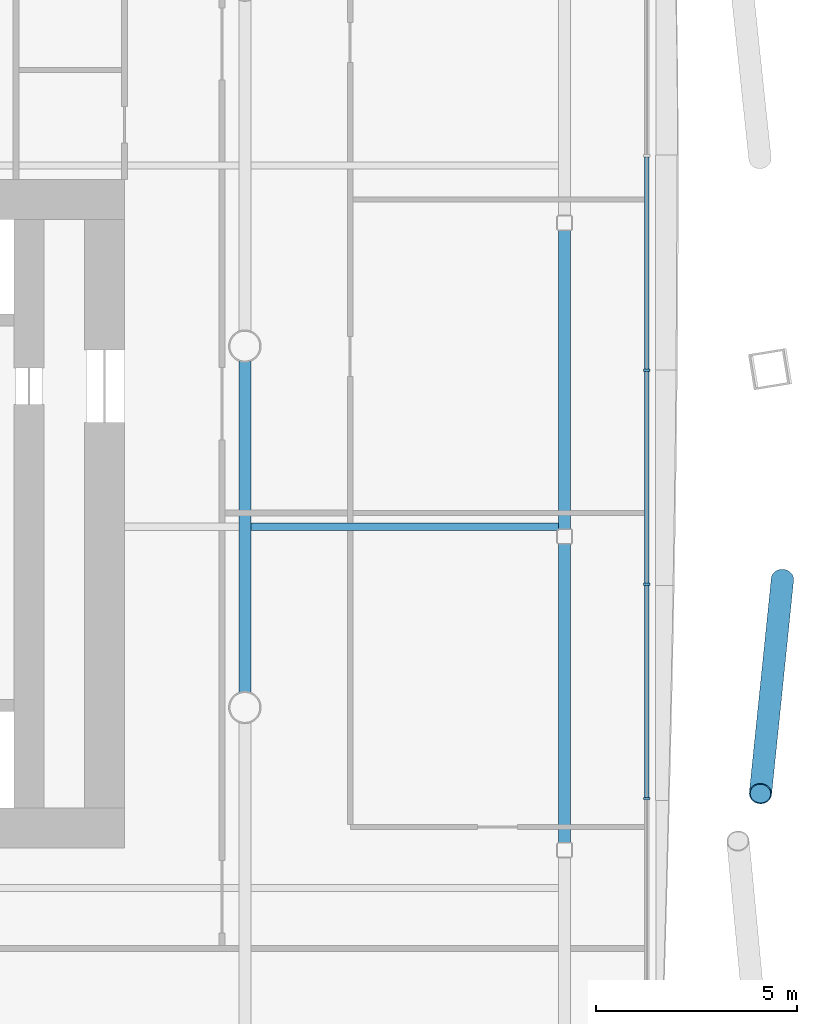
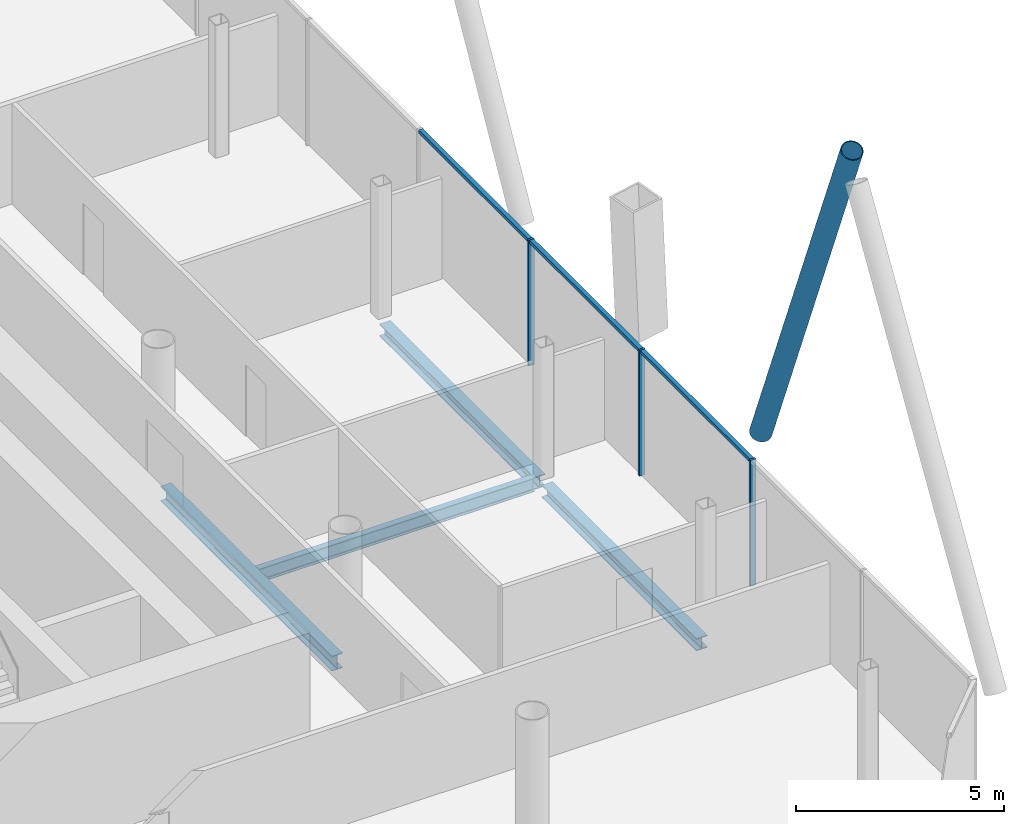
# One storey, part 7 of 22: 7 members, 4 beams, 1 element without a shape of its own.
"""IFC4 building model written with IfcOpenShell, lengths in metres."""

from ifc_helpers import new_model, si_unit, direction, frame, origin, origin_2d, place, context, subcontext, project, spatial, rectangle, hollow_circle, i_section, extrude, material, material_profile, profile_set, type_object, element, aggregate, save


model = new_model("IFC4")

# Units and contexts
model_context = context("Model", 3, precision=1e-05, world=origin(), true_north=direction((0.0, 1.0)))
body_context = subcontext(model_context, "Body", "Model", "MODEL_VIEW")
ifc_project = project(units=[si_unit("LENGTHUNIT", "METRE"), si_unit("AREAUNIT", "SQUARE_METRE"), si_unit("VOLUMEUNIT", "CUBIC_METRE"), si_unit("PLANEANGLEUNIT", "RADIAN"), si_unit("MASSUNIT", "GRAM", prefix="KILO")], contexts=[model_context])

# Site, building, storey
site_placement = place(None, origin())
site = spatial("IfcSite", under=ifc_project, at=site_placement, CompositionType="ELEMENT")
building_placement = place(site_placement, origin())
building = spatial("IfcBuilding", under=site, at=building_placement, Name="Tskaro Facet Tower", CompositionType="ELEMENT")
storey_placement = place(building_placement, frame((0.0, 0.0, 73.800048828125)))
storey = spatial("IfcBuildingStorey", under=building, at=storey_placement, Name="L17", CompositionType="ELEMENT", Elevation=73.800048828125)

# Member
ifc_material_1 = material(Name="Steel S355J2H", Category="steel")
ifc_material_profile_1 = material_profile(ifc_material_1, hollow_circle(Radius=0.279541015625, WallThickness=0.02490234375, at=origin_2d()), Name="CHS 559x25")
ifc_profile_set_1 = profile_set([ifc_material_profile_1], Name="Steel S355J2H")
member_type_1 = type_object("IfcMemberType", Name="CHS 559x25 brace", PredefinedType="BRACE", material=ifc_profile_set_1)
member_1_placement = place(storey_placement, frame((31.390380859375, -5.812255859375, 0.0), z_axis=(-0.042567326105, -0.414462347628, 0.909070396145), x_axis=(0.994767210337, -0.102167495995, 0.0)))
element("IfcMember", 1, at=member_1_placement, inside=storey, type_object=member_type_1, Name="CHS 559x25 XB04B/2", PredefinedType="BRACE", context=body_context, shape_type="SweptSolid", body=[
    extrude(hollow_circle(Radius=0.279541015625, WallThickness=0.02490234375, at=origin_2d()), origin(), (0.0, 0.0, 1.0), 12.8701171875),
])

# Curtain wall, members
ifc_material_2 = material(Name="Bronze anodised aluminium 6063-T6", Category="aluminium")
curtain_wall_type = type_object("IfcCurtainWallType", Name="Bronze office curtain wall (FW1)", PredefinedType="NOTDEFINED", material=ifc_material_2)
curtain_wall_placement = place(storey_placement, origin())
curtain_wall = element("IfcCurtainWall", 2, at=curtain_wall_placement, inside=storey, type_object=curtain_wall_type, Name="FW1 east facet L17", PredefinedType="NOTDEFINED")
ifc_material_profile_2 = material_profile(ifc_material_2, rectangle(XDim=0.06005859375, YDim=0.159912109375, at=origin_2d()), Name="Mullion 60x160")
ifc_profile_set_2 = profile_set([ifc_material_profile_2], Name="Bronze anodised aluminium 6063-T6")
member_type_2 = type_object("IfcMemberType", Name="FW1 bronze mullion 60x160", PredefinedType="MULLION", material=ifc_profile_set_2)
member_2_placement = place(storey_placement, frame((28.010986328125, -11.268310546875, 0.0), z_axis=(0.0, 0.0, 1.0), x_axis=(0.0, 1.0, 0.0)))
member_2 = element("IfcMember", 3, at=member_2_placement, type_object=member_type_2, Name="FW1 east mullion 2", PredefinedType="MULLION", context=body_context, shape_type="SweptSolid", body=[
    extrude(rectangle(XDim=0.06005859375, YDim=0.159912109375, at=origin_2d()), origin(), (0.0, 0.0, 1.0), 3.699951171875),
])
member_3_placement = place(storey_placement, frame((28.010986328125, -5.932861328125, 0.0), z_axis=(0.0, 0.0, 1.0), x_axis=(0.0, 1.0, 0.0)))
member_3 = element("IfcMember", 4, at=member_3_placement, type_object=member_type_2, Name="FW1 east mullion 3", PredefinedType="MULLION", context=body_context, shape_type="SweptSolid", body=[
    extrude(rectangle(XDim=0.06005859375, YDim=0.159912109375, at=origin_2d()), origin(), (0.0, 0.0, 1.0), 3.699951171875),
])
member_4_placement = place(storey_placement, frame((28.010986328125, -0.597412109375, 0.0), z_axis=(0.0, 0.0, 1.0), x_axis=(0.0, 1.0, 0.0)))
member_4 = element("IfcMember", 5, at=member_4_placement, type_object=member_type_2, Name="FW1 east mullion 4", PredefinedType="MULLION", context=body_context, shape_type="SweptSolid", body=[
    extrude(rectangle(XDim=0.06005859375, YDim=0.159912109375, at=origin_2d()), origin(), (0.0, 0.0, 1.0), 3.699951171875),
])
ifc_material_profile_3 = material_profile(ifc_material_2, rectangle(XDim=0.1201171875, YDim=0.10009765625, at=origin_2d()), Name="Transom 120x100")
ifc_profile_set_3 = profile_set([ifc_material_profile_3], Name="Bronze anodised aluminium 6063-T6")
member_type_3 = type_object("IfcMemberType", Name="FW1 bronze transom 120x100", PredefinedType="USERDEFINED", material=ifc_profile_set_3)
member_5_placement = place(storey_placement, frame((28.010986328125, -11.23828125, 3.64990234375), z_axis=(0.0, 1.0, 0.0), x_axis=(-1.0, 0.0, 0.0)))
member_5 = element("IfcMember", 6, at=member_5_placement, type_object=member_type_3, Name="FW1 east transom 3.1", ObjectType="TRANSOM", PredefinedType="USERDEFINED", context=body_context, shape_type="SweptSolid", body=[
    extrude(rectangle(XDim=0.1201171875, YDim=0.10009765625, at=origin_2d()), origin(), (0.0, 0.0, 1.0), 5.275390625),
])
member_6_placement = place(storey_placement, frame((28.010986328125, -5.90283203125, 3.64990234375), z_axis=(0.0, 1.0, 0.0), x_axis=(-1.0, 0.0, 0.0)))
member_6 = element("IfcMember", 7, at=member_6_placement, type_object=member_type_3, Name="FW1 east transom 4.1", ObjectType="TRANSOM", PredefinedType="USERDEFINED", context=body_context, shape_type="SweptSolid", body=[
    extrude(rectangle(XDim=0.1201171875, YDim=0.10009765625, at=origin_2d()), origin(), (0.0, 0.0, 1.0), 5.275390625),
])
member_7_placement = place(storey_placement, frame((28.010986328125, -0.5673828125, 3.64990234375), z_axis=(0.0, 1.0, 0.0), x_axis=(-1.0, 0.0, 0.0)))
member_7 = element("IfcMember", 8, at=member_7_placement, type_object=member_type_3, Name="FW1 east transom 5.1", ObjectType="TRANSOM", PredefinedType="USERDEFINED", context=body_context, shape_type="SweptSolid", body=[
    extrude(rectangle(XDim=0.1201171875, YDim=0.10009765625, at=origin_2d()), origin(), (0.0, 0.0, 1.0), 5.275146484375),
])
aggregate(curtain_wall, [member_2, member_3, member_4, member_5, member_6, member_7])

# Beams
ifc_material_3 = material(Name="Steel S355J2", Category="steel")
ifc_material_profile_4 = material_profile(ifc_material_3, i_section(OverallWidth=0.300048828125, OverallDepth=0.360107421875, WebThickness=0.012451171875, FlangeThickness=0.0224609375, FilletRadius=0.027099609375, at=origin_2d()), Name="HE 360 B")
ifc_profile_set_4 = profile_set([ifc_material_profile_4], Name="Steel S355J2")
beam_type_1 = type_object("IfcBeamType", Name="HE 360 B ring beam", PredefinedType="BEAM", material=ifc_profile_set_4)
beam_1_placement = place(storey_placement, frame((25.965087890625, -12.373046875, -0.320068359375), z_axis=(0.0, 1.0, 0.0), x_axis=(-1.0, 0.0, 0.0)))
element("IfcBeam", 9, at=beam_1_placement, inside=storey, type_object=beam_type_1, Name="HE 360 B EB8-2", PredefinedType="BEAM", context=body_context, shape_type="SweptSolid", body=[
    extrude(i_section(OverallWidth=0.300048828125, OverallDepth=0.360107421875, WebThickness=0.012451171875, FlangeThickness=0.0224609375, FilletRadius=0.027099609375, at=origin_2d()), origin(), (0.0, 0.0, 1.0), 7.450927734375),
])
beam_2_placement = place(storey_placement, frame((25.965087890625, -4.56201171875, -0.320068359375), z_axis=(0.0, 1.0, 0.0), x_axis=(-1.0, 0.0, 0.0)))
element("IfcBeam", 10, at=beam_2_placement, inside=storey, type_object=beam_type_1, Name="HE 360 B EB9-2", PredefinedType="BEAM", context=body_context, shape_type="SweptSolid", body=[
    extrude(i_section(OverallWidth=0.300048828125, OverallDepth=0.360107421875, WebThickness=0.012451171875, FlangeThickness=0.0224609375, FilletRadius=0.027099609375, at=origin_2d()), origin(), (0.0, 0.0, 1.0), 7.449951171875),
])
ifc_material_profile_5 = material_profile(ifc_material_3, i_section(OverallWidth=0.300048828125, OverallDepth=0.43994140625, WebThickness=0.011474609375, FlangeThickness=0.02099609375, FilletRadius=0.027099609375, at=origin_2d()), Name="HE 450 A")
ifc_profile_set_5 = profile_set([ifc_material_profile_5], Name="Steel S355J2")
beam_type_2 = type_object("IfcBeamType", Name="HE 450 A girder", PredefinedType="BEAM", material=ifc_profile_set_5)
beam_3_placement = place(storey_placement, frame((18.0, -8.62353515625, -0.360107421875), z_axis=(0.0, 1.0, 0.0), x_axis=(-1.0, 0.0, 0.0)))
element("IfcBeam", 11, at=beam_3_placement, inside=storey, type_object=beam_type_2, Name="HE 450 A GB6-3-2", PredefinedType="BEAM", context=body_context, shape_type="SweptSolid", body=[
    extrude(i_section(OverallWidth=0.300048828125, OverallDepth=0.43994140625, WebThickness=0.011474609375, FlangeThickness=0.02099609375, FilletRadius=0.027099609375, at=origin_2d()), origin(), (0.0, 0.0, 1.0), 8.2470703125),
])
ifc_material_profile_6 = material_profile(ifc_material_3, i_section(OverallWidth=0.179931640625, OverallDepth=0.39990234375, WebThickness=0.008544921875, FlangeThickness=0.013427734375, FilletRadius=0.02099609375, at=origin_2d()), Name="IPE 400")
ifc_profile_set_6 = profile_set([ifc_material_profile_6], Name="Steel S355J2")
beam_type_3 = type_object("IfcBeamType", Name="IPE 400 secondary beam", PredefinedType="BEAM", material=ifc_profile_set_6)
beam_4_placement = place(storey_placement, frame((18.14990234375, -4.5, -0.340087890625), z_axis=(1.0, 0.0, 0.0), x_axis=(0.0, 1.0, 0.0)))
element("IfcBeam", 12, at=beam_4_placement, inside=storey, type_object=beam_type_3, Name="IPE 400 SB3a-3-2", PredefinedType="BEAM", context=body_context, shape_type="SweptSolid", body=[
    extrude(i_section(OverallWidth=0.179931640625, OverallDepth=0.39990234375, WebThickness=0.008544921875, FlangeThickness=0.013427734375, FilletRadius=0.02099609375, at=origin_2d()), origin(), (0.0, 0.0, 1.0), 7.6650390625),
])

save(model, "model.ifc")
